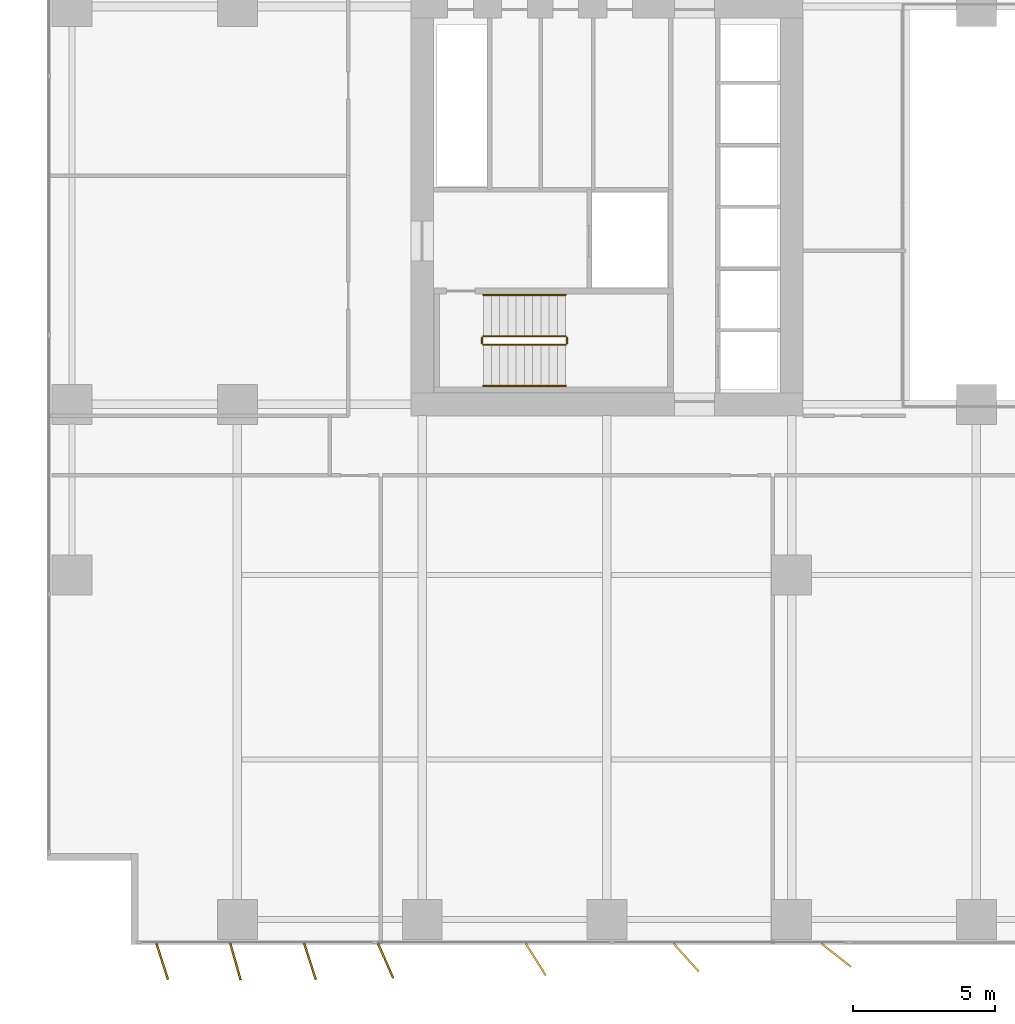
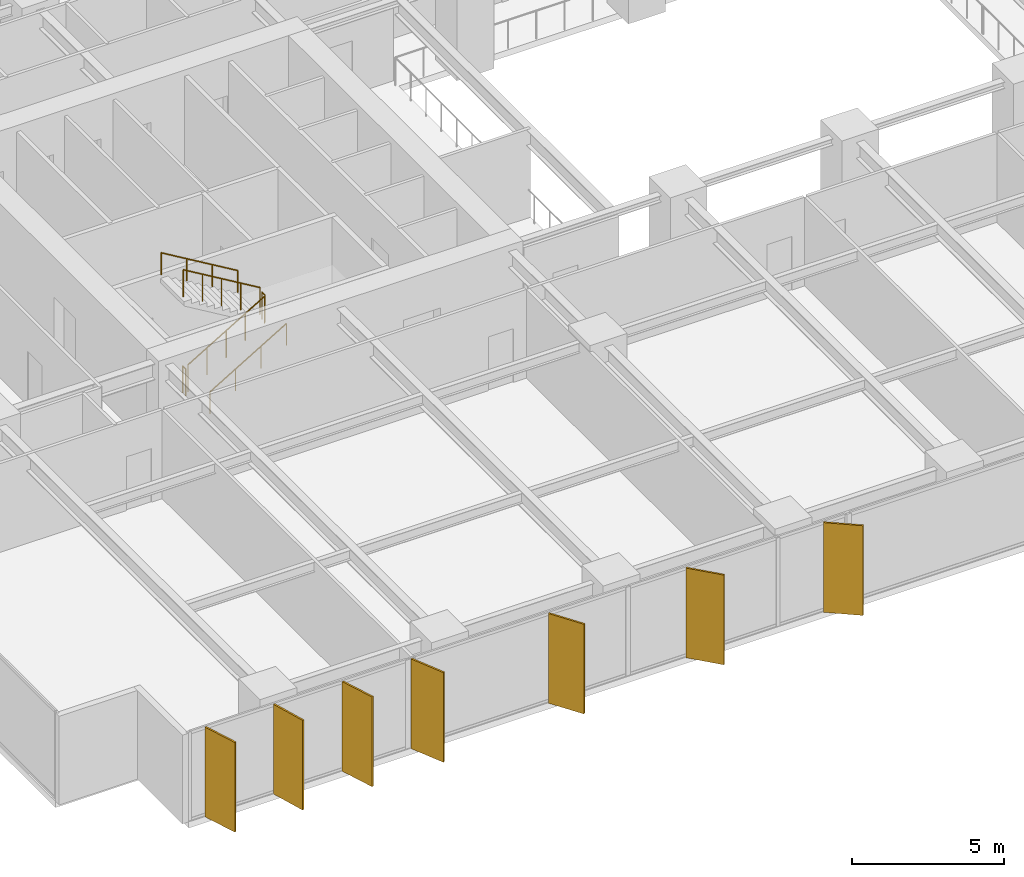
# One storey, part 17 of 20: 7 shading devices, 6 railings.
"""IFC4 building model written with IfcOpenShell, lengths in metres."""

from ifc_helpers import new_model, si_unit, direction, frame, origin, origin_2d, place, context, subcontext, project, spatial, rectangle, circle, extrude, material, layer, layer_set, type_object, element, save


model = new_model("IFC4")

# Units and contexts
model_context = context("Model", 3, precision=1e-05, world=origin(), true_north=direction((0.0, 1.0)))
body_context = subcontext(model_context, "Body", "Model", "MODEL_VIEW")
ifc_project = project(units=[si_unit("LENGTHUNIT", "METRE"), si_unit("AREAUNIT", "SQUARE_METRE"), si_unit("VOLUMEUNIT", "CUBIC_METRE"), si_unit("PLANEANGLEUNIT", "RADIAN"), si_unit("MASSUNIT", "GRAM", prefix="KILO")], contexts=[model_context])

# Site, building, storey
site_placement = place(None, origin())
site = spatial("IfcSite", under=ifc_project, at=site_placement, CompositionType="ELEMENT")
building_placement = place(site_placement, origin())
building = spatial("IfcBuilding", under=site, at=building_placement, Name="Putna Gate Headquarters", CompositionType="ELEMENT")
storey_placement = place(building_placement, frame((0.0, 0.0, 73.39990234375)))
storey = spatial("IfcBuildingStorey", under=building, at=storey_placement, Name="L17", CompositionType="ELEMENT", Elevation=73.39990234375)

# Railings
ifc_material_1 = material(Name="Powder-coated steel stair guardrail", Category="steel")
railing_type_1 = type_object("IfcRailingType", Name="RAIL-STAIR-GUARD-1100", PredefinedType="GUARDRAIL", material=ifc_material_1)
railing_1_placement = place(storey_placement, frame((15.14990234375, 21.10009765625, 0.1728515625)))
element("IfcRailing", 1, at=railing_1_placement, inside=storey, type_object=railing_type_1, Name="L17 ST1 stair guard 1", PredefinedType="GUARDRAIL", context=body_context, shape_type="SweptSolid", body=[
    extrude(circle(Radius=0.02392578125, at=origin_2d()), frame((0.0, 0.0, 1.076171875), z_axis=(0.859160404282, 0.0, 0.51170636083), x_axis=(0.0, 1.0, 0.0)), (0.0, 0.0, 1.0), 3.37548828125),
    extrude(circle(Radius=0.02099609375, at=origin_2d()), origin(), (0.0, 0.0, 1.0), 1.052001953125),
    extrude(circle(Radius=0.02099609375, at=origin_2d()), frame((0.72509765625, 0.0, 0.431884765625)), (0.0, 0.0, 1.0), 1.052001953125),
    extrude(circle(Radius=0.02099609375, at=origin_2d()), frame((1.4501953125, 0.0, 0.86376953125)), (0.0, 0.0, 1.0), 1.052001953125),
    extrude(circle(Radius=0.02099609375, at=origin_2d()), frame((2.175048828125, 0.0, 1.29541015625)), (0.0, 0.0, 1.0), 1.052001953125),
    extrude(circle(Radius=0.02099609375, at=origin_2d()), frame((2.900146484375, 0.0, 1.727294921875)), (0.0, 0.0, 1.0), 1.052001953125),
])
railing_2_placement = place(storey_placement, frame((18.10009765625, 21.14990234375, 1.900146484375)))
element("IfcRailing", 2, at=railing_2_placement, inside=storey, type_object=railing_type_1, Name="L17 ST1 stair guard 2", PredefinedType="GUARDRAIL", context=body_context, shape_type="SweptSolid", body=[
    extrude(circle(Radius=0.02392578125, at=origin_2d()), frame((0.0, 0.0, 1.076171875), z_axis=(0.0, 1.0, 0.0), x_axis=(-1.0, 0.0, 0.0)), (0.0, 0.0, 1.0), 0.2001953125),
    extrude(circle(Radius=0.02099609375, at=origin_2d()), origin(), (0.0, 0.0, 1.0), 1.052001953125),
    extrude(circle(Radius=0.02099609375, at=origin_2d()), frame((0.0, 0.2001953125, 0.0)), (0.0, 0.0, 1.0), 1.052001953125),
])
railing_3_placement = place(storey_placement, frame((18.050048828125, 21.39990234375, 2.07275390625)))
element("IfcRailing", 3, at=railing_3_placement, inside=storey, type_object=railing_type_1, Name="L17 ST1 stair guard 3", PredefinedType="GUARDRAIL", context=body_context, shape_type="SweptSolid", body=[
    extrude(circle(Radius=0.02392578125, at=origin_2d()), frame((0.0, 0.0, 1.076171875), z_axis=(-0.859160404282, 0.0, 0.51170636083), x_axis=(0.0, -1.0, 0.0)), (0.0, 0.0, 1.0), 3.37548828125),
    extrude(circle(Radius=0.02099609375, at=origin_2d()), origin(), (0.0, 0.0, 1.0), 1.052001953125),
    extrude(circle(Radius=0.02099609375, at=origin_2d()), frame((-0.72509765625, 0.0, 0.431884765625)), (0.0, 0.0, 1.0), 1.052001953125),
    extrude(circle(Radius=0.02099609375, at=origin_2d()), frame((-1.4501953125, 0.0, 0.86376953125)), (0.0, 0.0, 1.0), 1.052001953125),
    extrude(circle(Radius=0.02099609375, at=origin_2d()), frame((-2.175048828125, 0.0, 1.29541015625)), (0.0, 0.0, 1.0), 1.052001953125),
    extrude(circle(Radius=0.02099609375, at=origin_2d()), frame((-2.900146484375, 0.0, 1.727294921875)), (0.0, 0.0, 1.0), 1.052001953125),
])
railing_4_placement = place(storey_placement, frame((15.10009765625, 21.14990234375, 0.0)))
element("IfcRailing", 4, at=railing_4_placement, inside=storey, type_object=railing_type_1, Name="L17 ST1 stair guard 4", PredefinedType="GUARDRAIL", context=body_context, shape_type="SweptSolid", body=[
    extrude(circle(Radius=0.02392578125, at=origin_2d()), frame((0.0, 0.0, 1.076171875), z_axis=(0.0, 1.0, 0.0), x_axis=(-1.0, 0.0, 0.0)), (0.0, 0.0, 1.0), 0.2001953125),
    extrude(circle(Radius=0.02099609375, at=origin_2d()), origin(), (0.0, 0.0, 1.0), 1.052001953125),
    extrude(circle(Radius=0.02099609375, at=origin_2d()), frame((0.0, 0.2001953125, 0.0)), (0.0, 0.0, 1.0), 1.052001953125),
])
ifc_material_2 = material(Name="Brushed stainless steel handrail", Category="steel")
railing_type_2 = type_object("IfcRailingType", Name="RAIL-STAIR-HAND-900", PredefinedType="HANDRAIL", material=ifc_material_2)
railing_5_placement = place(storey_placement, frame((15.14990234375, 19.64990234375, 0.1728515625)))
element("IfcRailing", 5, at=railing_5_placement, inside=storey, type_object=railing_type_2, Name="L17 ST1 stair handrail 1", PredefinedType="HANDRAIL", context=body_context, shape_type="SweptSolid", body=[
    extrude(circle(Radius=0.02392578125, at=origin_2d()), frame((0.0, 0.0, 0.8759765625), z_axis=(0.859160404282, 0.0, 0.51170636083), x_axis=(0.0, 1.0, 0.0)), (0.0, 0.0, 1.0), 3.37548828125),
    extrude(circle(Radius=0.02099609375, at=origin_2d()), origin(), (0.0, 0.0, 1.0), 0.851806640625),
    extrude(circle(Radius=0.02099609375, at=origin_2d()), frame((0.966796875, 0.0, 0.57568359375)), (0.0, 0.0, 1.0), 0.851806640625),
    extrude(circle(Radius=0.02099609375, at=origin_2d()), frame((1.933349609375, 0.0, 1.151611328125)), (0.0, 0.0, 1.0), 0.851806640625),
    extrude(circle(Radius=0.02099609375, at=origin_2d()), frame((2.900146484375, 0.0, 1.727294921875)), (0.0, 0.0, 1.0), 0.851806640625),
])
railing_6_placement = place(storey_placement, frame((18.050048828125, 22.85009765625, 2.07275390625)))
element("IfcRailing", 6, at=railing_6_placement, inside=storey, type_object=railing_type_2, Name="L17 ST1 stair handrail 2", PredefinedType="HANDRAIL", context=body_context, shape_type="SweptSolid", body=[
    extrude(circle(Radius=0.02392578125, at=origin_2d()), frame((0.0, 0.0, 0.8759765625), z_axis=(-0.859160404282, 0.0, 0.51170636083), x_axis=(0.0, -1.0, 0.0)), (0.0, 0.0, 1.0), 3.37548828125),
    extrude(circle(Radius=0.02099609375, at=origin_2d()), origin(), (0.0, 0.0, 1.0), 0.851806640625),
    extrude(circle(Radius=0.02099609375, at=origin_2d()), frame((-0.966796875, 0.0, 0.57568359375)), (0.0, 0.0, 1.0), 0.851806640625),
    extrude(circle(Radius=0.02099609375, at=origin_2d()), frame((-1.933349609375, 0.0, 1.151611328125)), (0.0, 0.0, 1.0), 0.851806640625),
    extrude(circle(Radius=0.02099609375, at=origin_2d()), frame((-2.900146484375, 0.0, 1.727294921875)), (0.0, 0.0, 1.0), 0.851806640625),
])

# Shading devices
ifc_material_3 = material(Name="Anodised architectural bronze aluminium fin", Category="aluminium")
ifc_layer = layer(ifc_material_3, 0.06494140625)
ifc_layer_set = layer_set([ifc_layer], Name="Anodised architectural bronze aluminium fin")
shading_device_type = type_object("IfcShadingDeviceType", Name="SHADE-BRONZE-FIN-1320", PredefinedType="USERDEFINED", material=ifc_layer_set)
for number, where, z_axis, x_axis, name in (
    (7, (3.853759765625, -0.602783203125, -0.02001953125), (0.0, 0.0, 1.0), (0.308684994204, -0.951164325631, 0.0), "L17 Bronze Vertical Shading Fin S1"),
    (8, (6.431884765625, -0.609375, -0.02001953125), (0.0, 0.0, 1.0), (0.275637355817, -0.961261695938, 0.0), "L17 Bronze Vertical Shading Fin S2"),
    (9, (9.0537109375, -0.602783203125, -0.02001953125), (0.0, 0.0, 1.0), (0.308684994204, -0.951164325631, 0.0), "L17 Bronze Vertical Shading Fin S3"),
    (10, (11.71435546875, -0.57958984375, -0.02001953125), (0.0, 0.0, 1.0), (0.400668879095, -0.916222925562, 0.0), "L17 Bronze Vertical Shading Fin S4"),
    (11, (17.000244140625, -0.534423828125, -0.02001953125), (0.0, 0.0, 1.0), (0.530659123936, -0.847585331506, 0.0), "L17 Bronze Vertical Shading Fin S5"),
    (12, (22.29150390625, -0.465576171875, -0.02001953125), (0.0, 0.0, 1.0), (0.669130606359, -0.743144825477, 0.0), "L17 Bronze Vertical Shading Fin S6"),
    (13, (27.569580078125, -0.3818359375, -0.02001953125), (0.0, 0.0, 1.0), (0.787473187632, -0.616348909921, 0.0), "L17 Bronze Vertical Shading Fin S7"),
):
    element("IfcShadingDevice", number, at=place(storey_placement, frame(where, z_axis=z_axis, x_axis=x_axis)), inside=storey, type_object=shading_device_type, Name=name, ObjectType="FIN", PredefinedType="USERDEFINED", context=body_context, shape_type="SweptSolid", body=[
        extrude(rectangle(XDim=1.320068359375, YDim=0.06494140625, at=origin_2d()), origin(), (0.0, 0.0, 1.0), 3.590087890625),
    ])

save(model, "model.ifc")
